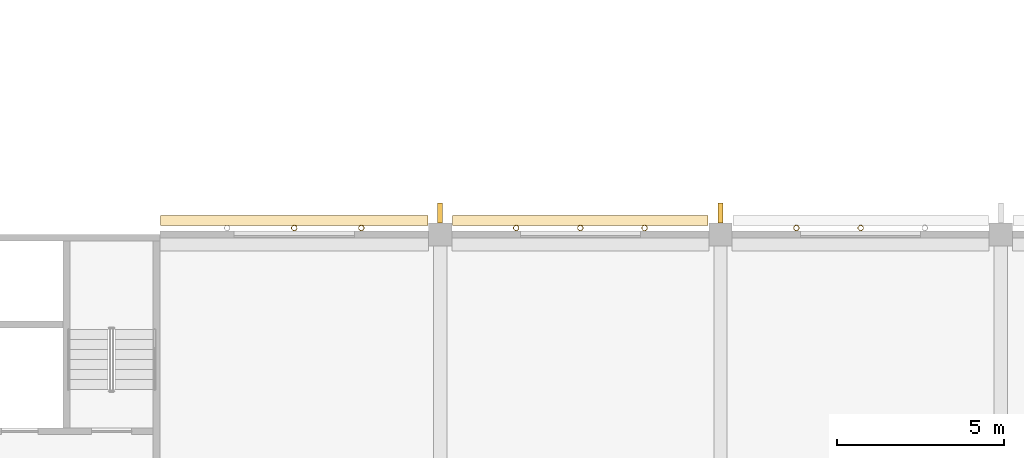
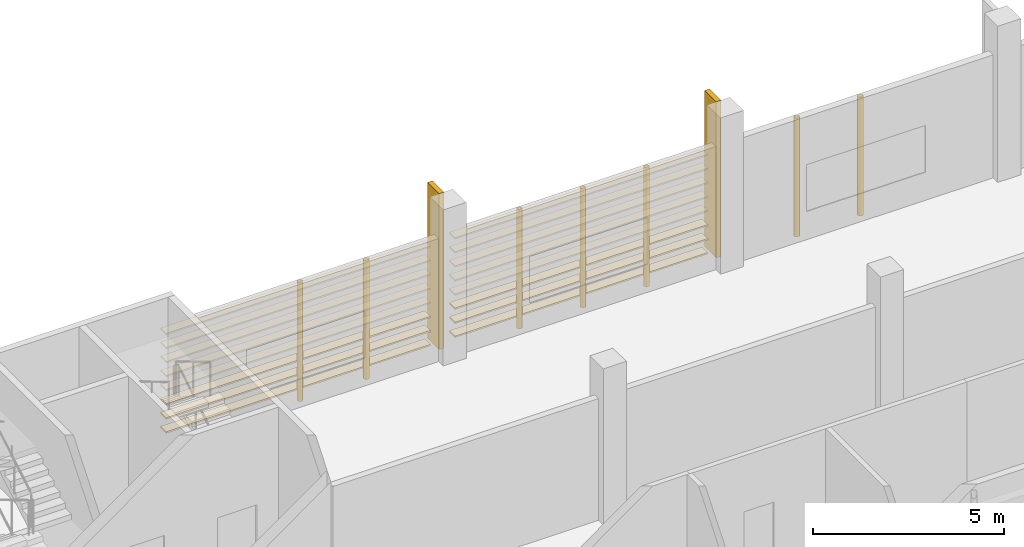
# One storey, part 56 of 82: 16 coverings, 9 shading devices.
"""IFC4 building model written with IfcOpenShell, lengths in metres."""

from ifc_helpers import new_model, si_unit, direction, frame, origin, origin_2d, place, context, subcontext, project, spatial, rectangle, hollow_circle, extrude, material, material_profile, profile_set, type_object, element, save


model = new_model("IFC4")

# Units and contexts
model_context = context("Model", 3, precision=1e-05, world=origin(), true_north=direction((0.0, 1.0)))
body_context = subcontext(model_context, "Body", "Model", "MODEL_VIEW")
ifc_project = project(units=[si_unit("LENGTHUNIT", "METRE"), si_unit("AREAUNIT", "SQUARE_METRE"), si_unit("VOLUMEUNIT", "CUBIC_METRE"), si_unit("PLANEANGLEUNIT", "RADIAN"), si_unit("MASSUNIT", "GRAM", prefix="KILO")], contexts=[model_context])

# Site, building, storey
site_placement = place(None, origin())
site = spatial("IfcSite", under=ifc_project, at=site_placement, CompositionType="ELEMENT")
building_placement = place(site_placement, origin())
building = spatial("IfcBuilding", under=site, at=building_placement, Name="Almond Square Museum", CompositionType="ELEMENT")
storey_placement = place(building_placement, frame((0.0, 0.0, 20.0)))
storey = spatial("IfcBuildingStorey", under=building, at=storey_placement, Name="L03", CompositionType="ELEMENT", Elevation=20.0)

# Shading devices
ifc_material_1 = material(Name="Structural steel S355", Category="steel")
ifc_material_profile_1 = material_profile(ifc_material_1, hollow_circle(Radius=0.084228515625, WallThickness=0.008056640625, at=origin_2d()))
ifc_profile_set_1 = profile_set([ifc_material_profile_1], Name="Structural steel S355")
shading_device_type_1 = type_object("IfcShadingDeviceType", Name="Louvre post CHS 168.3 x 8", PredefinedType="USERDEFINED", material=ifc_profile_set_1)
for number, where, z_axis, x_axis, name in (
    (1, (83.875, 16.994140625, 0.0), (0.0, 0.0, 1.0), (1.0, 0.0, 0.0), "Louvre screen post"),
    (2, (85.800048828125, 16.994140625, 0.0), (0.0, 0.0, 1.0), (1.0, 0.0, 0.0), "Louvre screen post"),
    (3, (75.47509765625, 16.994140625, 0.0), (0.0, 0.0, 1.0), (1.0, 0.0, 0.0), "Louvre screen post"),
    (4, (77.39990234375, 16.994140625, 0.0), (0.0, 0.0, 1.0), (1.0, 0.0, 0.0), "Louvre screen post"),
    (5, (79.324951171875, 16.994140625, 0.0), (0.0, 0.0, 1.0), (1.0, 0.0, 0.0), "Louvre screen post"),
    (6, (68.824951171875, 16.994140625, 0.0), (0.0, 0.0, 1.0), (1.0, 0.0, 0.0), "Louvre screen post"),
    (7, (70.83740234375, 16.994140625, 0.0), (0.0, 0.0, 1.0), (1.0, 0.0, 0.0), "Louvre screen post"),
):
    element("IfcShadingDevice", number, at=place(storey_placement, frame(where, z_axis=z_axis, x_axis=x_axis)), inside=storey, type_object=shading_device_type_1, Name=name, ObjectType="POST", PredefinedType="USERDEFINED", context=body_context, shape_type="SweptSolid", body=[
        extrude(hollow_circle(Radius=0.084228515625, WallThickness=0.008056640625, at=origin_2d()), origin(), (0.0, 0.0, 1.0), 3.800048828125),
    ])

# Coverings
ifc_material_2 = material(Name="Cedar timber louvre board", Category="wood")
ifc_material_profile_2 = material_profile(ifc_material_2, rectangle(XDim=0.300048828125, YDim=0.050048828125, at=origin_2d()))
ifc_profile_set_2 = profile_set([ifc_material_profile_2], Name="Cedar timber louvre board")
covering_type = type_object("IfcCoveringType", Name="Louvre screen board 300 x 50", PredefinedType="CLADDING", material=ifc_profile_set_2)
for number, where, z_axis, x_axis, name in (
    (8, (73.570068359375, 17.224365234375, 0.300048828125), (1.0, 0.0, 0.0), (0.0, 1.0, 0.0), "Louvre screen board"),
    (9, (73.570068359375, 17.224365234375, 0.75), (1.0, 0.0, 0.0), (0.0, 1.0, 0.0), "Louvre screen board"),
    (10, (73.570068359375, 17.224365234375, 1.199951171875), (1.0, 0.0, 0.0), (0.0, 1.0, 0.0), "Louvre screen board"),
    (11, (73.570068359375, 17.224365234375, 1.64990234375), (1.0, 0.0, 0.0), (0.0, 1.0, 0.0), "Louvre screen board"),
    (12, (73.570068359375, 17.224365234375, 2.10009765625), (1.0, 0.0, 0.0), (0.0, 1.0, 0.0), "Louvre screen board"),
    (13, (73.570068359375, 17.224365234375, 2.550048828125), (1.0, 0.0, 0.0), (0.0, 1.0, 0.0), "Louvre screen board"),
    (14, (73.570068359375, 17.224365234375, 3.0), (1.0, 0.0, 0.0), (0.0, 1.0, 0.0), "Louvre screen board"),
    (15, (73.570068359375, 17.224365234375, 3.449951171875), (1.0, 0.0, 0.0), (0.0, 1.0, 0.0), "Louvre screen board"),
):
    element("IfcCovering", number, at=place(storey_placement, frame(where, z_axis=z_axis, x_axis=x_axis)), inside=storey, type_object=covering_type, Name=name, PredefinedType="CLADDING", context=body_context, shape_type="SweptSolid", body=[
        extrude(rectangle(XDim=0.300048828125, YDim=0.050048828125, at=origin_2d()), origin(), (0.0, 0.0, 1.0), 7.659912109375),
    ])
for number, where, z_axis, x_axis, name in (
    (16, (64.820068359375, 17.224365234375, 0.300048828125), (1.0, 0.0, 0.0), (0.0, 1.0, 0.0), "Louvre screen board"),
    (17, (64.820068359375, 17.224365234375, 0.75), (1.0, 0.0, 0.0), (0.0, 1.0, 0.0), "Louvre screen board"),
    (18, (64.820068359375, 17.224365234375, 1.199951171875), (1.0, 0.0, 0.0), (0.0, 1.0, 0.0), "Louvre screen board"),
    (19, (64.820068359375, 17.224365234375, 1.64990234375), (1.0, 0.0, 0.0), (0.0, 1.0, 0.0), "Louvre screen board"),
    (20, (64.820068359375, 17.224365234375, 2.10009765625), (1.0, 0.0, 0.0), (0.0, 1.0, 0.0), "Louvre screen board"),
    (21, (64.820068359375, 17.224365234375, 2.550048828125), (1.0, 0.0, 0.0), (0.0, 1.0, 0.0), "Louvre screen board"),
    (22, (64.820068359375, 17.224365234375, 3.0), (1.0, 0.0, 0.0), (0.0, 1.0, 0.0), "Louvre screen board"),
    (23, (64.820068359375, 17.224365234375, 3.449951171875), (1.0, 0.0, 0.0), (0.0, 1.0, 0.0), "Louvre screen board"),
):
    element("IfcCovering", number, at=place(storey_placement, frame(where, z_axis=z_axis, x_axis=x_axis)), inside=storey, type_object=covering_type, Name=name, PredefinedType="CLADDING", context=body_context, shape_type="SweptSolid", body=[
        extrude(rectangle(XDim=0.300048828125, YDim=0.050048828125, at=origin_2d()), origin(), (0.0, 0.0, 1.0), 8.010009765625),
    ])

# Shading devices
ifc_material_3 = material(Name="Cedar timber fin", Category="wood")
shading_device_type_2 = type_object("IfcShadingDeviceType", Name="Timber storm fin 150 x 600", PredefinedType="USERDEFINED", material=ifc_material_3)
for number, where, z_axis, x_axis, name in (
    (24, (73.199951171875, 17.449951171875, 0.0), (0.0, 0.0, 1.0), (1.0, 0.0, 0.0), "Timber storm fin"),
    (25, (81.60009765625, 17.449951171875, 0.0), (0.0, 0.0, 1.0), (1.0, 0.0, 0.0), "Timber storm fin"),
):
    element("IfcShadingDevice", number, at=place(storey_placement, frame(where, z_axis=z_axis, x_axis=x_axis)), inside=storey, type_object=shading_device_type_2, Name=name, ObjectType="FIN", PredefinedType="USERDEFINED", context=body_context, shape_type="SweptSolid", body=[
        extrude(rectangle(XDim=0.14990234375, YDim=0.60009765625, at=origin_2d()), origin(), (0.0, 0.0, 1.0), 5.0),
    ])

save(model, "model.ifc")
